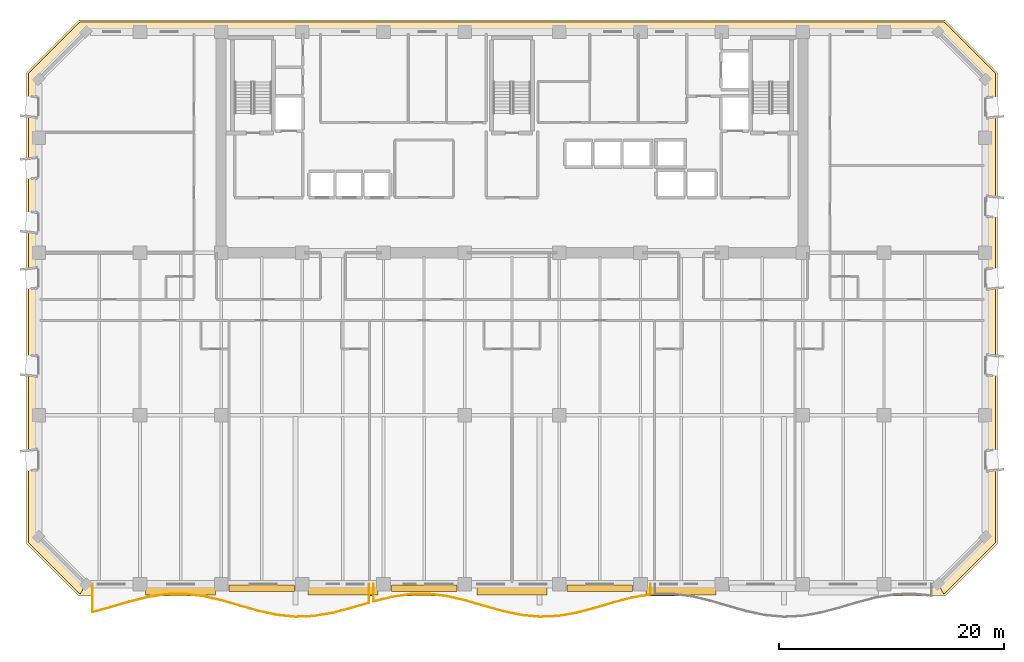
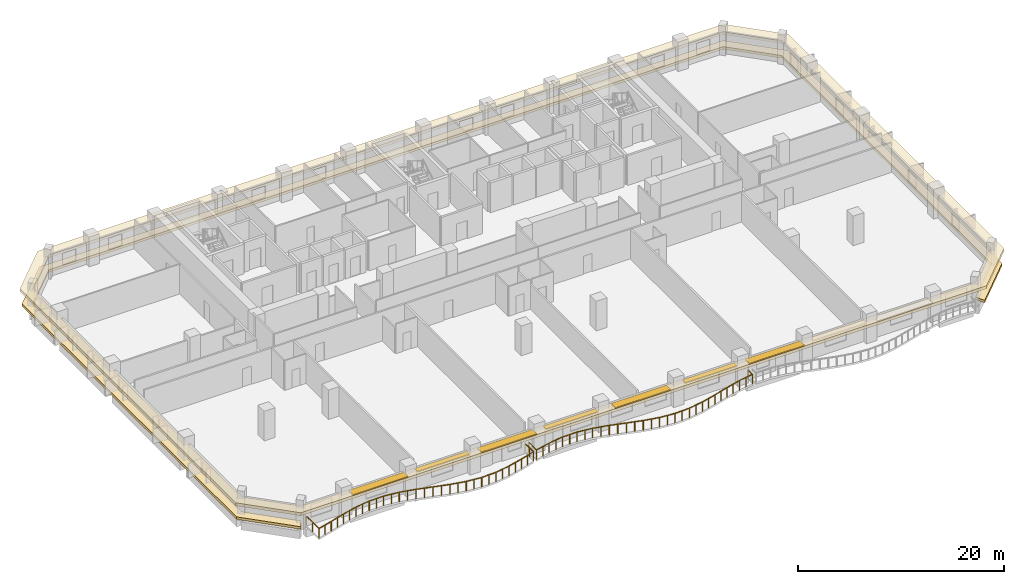
# One storey, part 12 of 15: 7 shading devices, 2 coverings, 2 railings.
"""IFC4 building model written with IfcOpenShell, lengths in metres."""

from ifc_helpers import new_model, si_unit, direction, frame, origin, origin_2d, place, context, subcontext, project, spatial, polyline, rectangle, outline, extrude, material, layer, layer_set, type_object, element, save


model = new_model("IFC4")

# Units and contexts
model_context = context("Model", 3, precision=1e-05, world=origin(), true_north=direction((0.0, 1.0)))
body_context = subcontext(model_context, "Body", "Model", "MODEL_VIEW")
ifc_project = project(units=[si_unit("LENGTHUNIT", "METRE"), si_unit("AREAUNIT", "SQUARE_METRE"), si_unit("VOLUMEUNIT", "CUBIC_METRE"), si_unit("PLANEANGLEUNIT", "RADIAN"), si_unit("MASSUNIT", "GRAM", prefix="KILO")], contexts=[model_context])

# Site, building, storey
site_placement = place(None, origin())
site = spatial("IfcSite", under=ifc_project, at=site_placement, CompositionType="ELEMENT")
building_placement = place(site_placement, origin())
building = spatial("IfcBuilding", under=site, at=building_placement, Name="Kaelvorn Grand Hotel", CompositionType="ELEMENT")
storey_placement = place(building_placement, frame((0.0, 0.0, 111.800048828125)))
storey = spatial("IfcBuildingStorey", under=building, at=storey_placement, Name="L26", CompositionType="ELEMENT", Elevation=111.800048828125)

# Coverings
ifc_material_1 = material(Name="Precast concrete C45/55", Category="concrete")
ifc_layer_1 = layer(ifc_material_1, 0.260009765625)
ifc_layer_set_1 = layer_set([ifc_layer_1], Name="Precast concrete C45/55")
covering_type_1 = type_object("IfcCoveringType", Name="COV-BAND-STREAMLINE-HEAD", PredefinedType="CLADDING", material=ifc_layer_set_1)
covering_1_placement = place(storey_placement, frame((0.0, 0.0, 2.179931640625)))
element("IfcCovering", 1, at=covering_1_placement, inside=storey, type_object=covering_type_1, Name="L26 Streamline Moderne Wraparound Horizontal Eyebrow Band", PredefinedType="CLADDING", context=body_context, shape_type="SweptSolid", body=[
    extrude(outline(polyline([(3.590087890625, -1.050048828125), (80.409912109375, -1.050048828125), (85.050048828125, 3.590087890625), (85.050048828125, 45.409912109375), (80.409912109375, 50.050048828125), (3.590087890625, 50.050048828125), (-1.050048828125, 45.409912109375), (-1.050048828125, 3.590087890625), (3.590087890625, -1.050048828125)]), holes=[polyline([(4.219970703125, 0.030029296875), (79.780029296875, 0.030029296875), (83.969970703125, 4.219970703125), (83.969970703125, 44.780029296875), (79.780029296875, 48.969970703125), (4.219970703125, 48.969970703125), (0.030029296875, 44.780029296875), (0.030029296875, 4.219970703125), (4.219970703125, 0.030029296875)])]), origin(), (0.0, 0.0, 1.0), 0.360107421875),
])
ifc_layer_2 = layer(ifc_material_1, 0.219970703125)
ifc_layer_set_2 = layer_set([ifc_layer_2], Name="Precast concrete C45/55")
covering_type_2 = type_object("IfcCoveringType", Name="COV-BAND-STREAMLINE-SILL", PredefinedType="CLADDING", material=ifc_layer_set_2)
covering_2_placement = place(storey_placement, frame((0.0, 0.0, 0.449951171875)))
element("IfcCovering", 2, at=covering_2_placement, inside=storey, type_object=covering_type_2, Name="L26 Streamline Moderne Wraparound Horizontal Sill Spandrel Band", PredefinedType="CLADDING", context=body_context, shape_type="SweptSolid", body=[
    extrude(outline(polyline([(80.3154296875, -0.8798828125), (84.8798828125, 3.6845703125), (84.8798828125, 45.3154296875), (80.3154296875, 49.8798828125), (3.6845703125, 49.8798828125), (-0.8798828125, 45.3154296875), (-0.8798828125, 3.6845703125), (3.6845703125, -0.8798828125), (4.217529296875, 0.030029296875), (0.030029296875, 4.217529296875), (0.030029296875, 44.782470703125), (4.217529296875, 48.969970703125), (79.782470703125, 48.969970703125), (83.969970703125, 44.782470703125), (83.969970703125, 4.217529296875), (79.782470703125, 0.030029296875), (80.3154296875, -0.8798828125)])), origin(), (0.0, 0.0, 1.0), 0.300048828125),
])

# Railings
ifc_material_2 = material(Name="Stainless Steel", Category="steel")
railing_type = type_object("IfcRailingType", Name="RL-BALC-1150", PredefinedType="BALUSTRADE", material=ifc_material_2)
railing_1_placement = place(storey_placement, frame((4.800048828125, 0.0, 0.0)))
element("IfcRailing", 3, at=railing_1_placement, inside=storey, type_object=railing_type, Name="L26 Scalloped Wave Balcony Balustrade GR1-1", PredefinedType="BALUSTRADE", context=body_context, shape_type="SweptSolid", body=[
    extrude(rectangle(XDim=0.048095703125, YDim=0.048095703125, at=origin_2d()), frame((0.0, 0.0, 1.1259765625), z_axis=(0.0, -1.0, 0.0), x_axis=(1.0, 0.0, 0.0)), (0.0, 0.0, 1.0), 2.4775390625),
    extrude(rectangle(XDim=0.048095703125, YDim=0.048095703125, at=origin_2d()), frame((0.0, -2.4775390625, 1.1259765625), z_axis=(0.964654076127, 0.263519474446, 0.0), x_axis=(-0.263519474446, 0.964654076127, 0.0)), (0.0, 0.0, 1.0), 1.6953125),
    extrude(rectangle(XDim=0.048095703125, YDim=0.048095703125, at=origin_2d()), frame((1.635498046875, -2.03076171875, 1.1259765625), z_axis=(0.959338132824, 0.282259361068, 0.0), x_axis=(-0.282259361068, 0.959338132824, 0.0)), (0.0, 0.0, 1.0), 1.704833984375),
    extrude(rectangle(XDim=0.048095703125, YDim=0.048095703125, at=origin_2d()), frame((3.27099609375, -1.549560546875, 1.1259765625), z_axis=(0.970108421797, 0.242671897751, 0.0), x_axis=(-0.242671897751, 0.970108421797, 0.0)), (0.0, 0.0, 1.0), 1.68603515625),
    extrude(rectangle(XDim=0.048095703125, YDim=0.048095703125, at=origin_2d()), frame((4.90673828125, -1.140380859375, 1.1259765625), z_axis=(0.988889745087, 0.148650839424, 0.0), x_axis=(-0.148650839424, 0.988889745087, 0.0)), (0.0, 0.0, 1.0), 1.65380859375),
    extrude(rectangle(XDim=0.048095703125, YDim=0.048095703125, at=origin_2d()), frame((6.542236328125, -0.89453125, 1.1259765625), z_axis=(0.999852684056, 0.01716421237, 0.0), x_axis=(-0.01716421237, 0.999852684056, 0.0)), (0.0, 0.0, 1.0), 1.6357421875),
    extrude(rectangle(XDim=0.048095703125, YDim=0.048095703125, at=origin_2d()), frame((8.177734375, -0.866455078125, 1.1259765625), z_axis=(0.992892259483, -0.119016641941, 0.0), x_axis=(0.119016641941, 0.992892259483, 0.0)), (0.0, 0.0, 1.0), 1.647216796875),
    extrude(rectangle(XDim=0.048095703125, YDim=0.048095703125, at=origin_2d()), frame((9.813232421875, -1.0625, 1.1259765625), z_axis=(0.974547877033, -0.22417947134, 0.0), x_axis=(0.22417947134, 0.974547877033, 0.0)), (0.0, 0.0, 1.0), 1.67822265625),
    extrude(rectangle(XDim=0.048095703125, YDim=0.048095703125, at=origin_2d()), frame((11.44873046875, -1.438720703125, 1.1259765625), z_axis=(0.960582401259, -0.277995414335, 0.0), x_axis=(0.277995414335, 0.960582401259, 0.0)), (0.0, 0.0, 1.0), 1.702880859375),
    extrude(rectangle(XDim=0.048095703125, YDim=0.048095703125, at=origin_2d()), frame((13.08447265625, -1.912109375, 1.1259765625), z_axis=(0.96186455439, -0.273526194374, 0.0), x_axis=(0.273526194374, 0.96186455439, 0.0)), (0.0, 0.0, 1.0), 1.700439453125),
    extrude(rectangle(XDim=0.048095703125, YDim=0.048095703125, at=origin_2d()), frame((14.719970703125, -2.377197265625, 1.1259765625), z_axis=(0.977427196396, -0.211272515358, 0.0), x_axis=(0.211272515358, 0.977427196396, 0.0)), (0.0, 0.0, 1.0), 1.67333984375),
    extrude(rectangle(XDim=0.048095703125, YDim=0.048095703125, at=origin_2d()), frame((16.35546875, -2.730712890625, 1.1259765625), z_axis=(0.995050417391, -0.099371358297, 0.0), x_axis=(0.099371358297, 0.995050417391, 0.0)), (0.0, 0.0, 1.0), 1.6435546875),
    extrude(rectangle(XDim=0.048095703125, YDim=0.048095703125, at=origin_2d()), frame((17.990966796875, -2.89404296875, 1.1259765625), z_axis=(0.999265134738, 0.03833002084, 0.0), x_axis=(-0.03833002084, 0.999265134738, 0.0)), (0.0, 0.0, 1.0), 1.636962890625),
    extrude(rectangle(XDim=0.048095703125, YDim=0.048095703125, at=origin_2d()), frame((19.626708984375, -2.831298828125, 1.1259765625), z_axis=(0.986118033534, 0.166045848907, 0.0), x_axis=(-0.166045848907, 0.986118033534, 0.0)), (0.0, 0.0, 1.0), 1.658447265625),
    extrude(rectangle(XDim=0.048095703125, YDim=0.048095703125, at=origin_2d()), frame((21.26220703125, -2.555908203125, 1.1259765625), z_axis=(0.96763721046, 0.252345455542, 0.0), x_axis=(-0.252345455542, 0.96763721046, 0.0)), (0.0, 0.0, 1.0), 1.690185546875),
    extrude(rectangle(XDim=0.048095703125, YDim=0.048095703125, at=origin_2d()), frame((22.897705078125, -2.12939453125, 1.1259765625), z_axis=(0.959027432838, 0.2833132243, 0.0), x_axis=(-0.2833132243, 0.959027432838, 0.0)), (0.0, 0.0, 1.0), 1.705322265625),
    extrude(rectangle(XDim=0.048095703125, YDim=0.048095703125, at=origin_2d()), frame((24.533203125, -1.646240234375, 1.1259765625), z_axis=(0.0, 1.0, 0.0), x_axis=(-1.0, 0.0, 0.0)), (0.0, 0.0, 1.0), 1.646240234375),
    extrude(rectangle(XDim=0.0419921875, YDim=0.0419921875, at=origin_2d()), origin(), (0.0, 0.0, 1.0), 1.101806640625),
    extrude(rectangle(XDim=0.0419921875, YDim=0.0419921875, at=origin_2d()), frame((0.0, -1.23876953125, 0.0)), (0.0, 0.0, 1.0), 1.101806640625),
    extrude(rectangle(XDim=0.0419921875, YDim=0.0419921875, at=origin_2d()), frame((0.0, -2.4775390625, 0.0)), (0.0, 0.0, 1.0), 1.101806640625),
    extrude(rectangle(XDim=0.0419921875, YDim=0.0419921875, at=origin_2d()), frame((0.81787109375, -2.254150390625, 0.0)), (0.0, 0.0, 1.0), 1.101806640625),
    extrude(rectangle(XDim=0.0419921875, YDim=0.0419921875, at=origin_2d()), frame((1.635498046875, -2.03076171875, 0.0)), (0.0, 0.0, 1.0), 1.101806640625),
    extrude(rectangle(XDim=0.0419921875, YDim=0.0419921875, at=origin_2d()), frame((2.453125, -1.7900390625, 0.0)), (0.0, 0.0, 1.0), 1.101806640625),
    extrude(rectangle(XDim=0.0419921875, YDim=0.0419921875, at=origin_2d()), frame((3.27099609375, -1.549560546875, 0.0)), (0.0, 0.0, 1.0), 1.101806640625),
    extrude(rectangle(XDim=0.0419921875, YDim=0.0419921875, at=origin_2d()), frame((4.0888671875, -1.344970703125, 0.0)), (0.0, 0.0, 1.0), 1.101806640625),
    extrude(rectangle(XDim=0.0419921875, YDim=0.0419921875, at=origin_2d()), frame((4.90673828125, -1.140380859375, 0.0)), (0.0, 0.0, 1.0), 1.101806640625),
    extrude(rectangle(XDim=0.0419921875, YDim=0.0419921875, at=origin_2d()), frame((5.724609375, -1.017578125, 0.0)), (0.0, 0.0, 1.0), 1.101806640625),
    extrude(rectangle(XDim=0.0419921875, YDim=0.0419921875, at=origin_2d()), frame((6.542236328125, -0.89453125, 0.0)), (0.0, 0.0, 1.0), 1.101806640625),
    extrude(rectangle(XDim=0.0419921875, YDim=0.0419921875, at=origin_2d()), frame((7.35986328125, -0.88037109375, 0.0)), (0.0, 0.0, 1.0), 1.101806640625),
    extrude(rectangle(XDim=0.0419921875, YDim=0.0419921875, at=origin_2d()), frame((8.177734375, -0.866455078125, 0.0)), (0.0, 0.0, 1.0), 1.101806640625),
    extrude(rectangle(XDim=0.0419921875, YDim=0.0419921875, at=origin_2d()), frame((8.99560546875, -0.96435546875, 0.0)), (0.0, 0.0, 1.0), 1.101806640625),
    extrude(rectangle(XDim=0.0419921875, YDim=0.0419921875, at=origin_2d()), frame((9.813232421875, -1.0625, 0.0)), (0.0, 0.0, 1.0), 1.101806640625),
    extrude(rectangle(XDim=0.0419921875, YDim=0.0419921875, at=origin_2d()), frame((10.630859375, -1.25048828125, 0.0)), (0.0, 0.0, 1.0), 1.101806640625),
    extrude(rectangle(XDim=0.0419921875, YDim=0.0419921875, at=origin_2d()), frame((11.44873046875, -1.438720703125, 0.0)), (0.0, 0.0, 1.0), 1.101806640625),
    extrude(rectangle(XDim=0.0419921875, YDim=0.0419921875, at=origin_2d()), frame((12.2666015625, -1.67529296875, 0.0)), (0.0, 0.0, 1.0), 1.101806640625),
    extrude(rectangle(XDim=0.0419921875, YDim=0.0419921875, at=origin_2d()), frame((13.08447265625, -1.912109375, 0.0)), (0.0, 0.0, 1.0), 1.101806640625),
    extrude(rectangle(XDim=0.0419921875, YDim=0.0419921875, at=origin_2d()), frame((13.90234375, -2.14453125, 0.0)), (0.0, 0.0, 1.0), 1.101806640625),
    extrude(rectangle(XDim=0.0419921875, YDim=0.0419921875, at=origin_2d()), frame((14.719970703125, -2.377197265625, 0.0)), (0.0, 0.0, 1.0), 1.101806640625),
    extrude(rectangle(XDim=0.0419921875, YDim=0.0419921875, at=origin_2d()), frame((15.53759765625, -2.553955078125, 0.0)), (0.0, 0.0, 1.0), 1.101806640625),
    extrude(rectangle(XDim=0.0419921875, YDim=0.0419921875, at=origin_2d()), frame((16.35546875, -2.730712890625, 0.0)), (0.0, 0.0, 1.0), 1.101806640625),
    extrude(rectangle(XDim=0.0419921875, YDim=0.0419921875, at=origin_2d()), frame((17.17333984375, -2.8125, 0.0)), (0.0, 0.0, 1.0), 1.101806640625),
    extrude(rectangle(XDim=0.0419921875, YDim=0.0419921875, at=origin_2d()), frame((17.990966796875, -2.89404296875, 0.0)), (0.0, 0.0, 1.0), 1.101806640625),
    extrude(rectangle(XDim=0.0419921875, YDim=0.0419921875, at=origin_2d()), frame((18.808837890625, -2.86279296875, 0.0)), (0.0, 0.0, 1.0), 1.101806640625),
    extrude(rectangle(XDim=0.0419921875, YDim=0.0419921875, at=origin_2d()), frame((19.626708984375, -2.831298828125, 0.0)), (0.0, 0.0, 1.0), 1.101806640625),
    extrude(rectangle(XDim=0.0419921875, YDim=0.0419921875, at=origin_2d()), frame((20.4443359375, -2.693603515625, 0.0)), (0.0, 0.0, 1.0), 1.101806640625),
    extrude(rectangle(XDim=0.0419921875, YDim=0.0419921875, at=origin_2d()), frame((21.26220703125, -2.555908203125, 0.0)), (0.0, 0.0, 1.0), 1.101806640625),
    extrude(rectangle(XDim=0.0419921875, YDim=0.0419921875, at=origin_2d()), frame((22.080078125, -2.3427734375, 0.0)), (0.0, 0.0, 1.0), 1.101806640625),
    extrude(rectangle(XDim=0.0419921875, YDim=0.0419921875, at=origin_2d()), frame((22.897705078125, -2.12939453125, 0.0)), (0.0, 0.0, 1.0), 1.101806640625),
    extrude(rectangle(XDim=0.0419921875, YDim=0.0419921875, at=origin_2d()), frame((23.71533203125, -1.8876953125, 0.0)), (0.0, 0.0, 1.0), 1.101806640625),
    extrude(rectangle(XDim=0.0419921875, YDim=0.0419921875, at=origin_2d()), frame((24.533203125, -1.646240234375, 0.0)), (0.0, 0.0, 1.0), 1.101806640625),
    extrude(rectangle(XDim=0.0419921875, YDim=0.0419921875, at=origin_2d()), frame((24.533203125, -0.8232421875, 0.0)), (0.0, 0.0, 1.0), 1.101806640625),
    extrude(rectangle(XDim=0.0419921875, YDim=0.0419921875, at=origin_2d()), frame((24.533203125, 0.0, 0.0)), (0.0, 0.0, 1.0), 1.101806640625),
])
railing_2_placement = place(storey_placement, frame((29.7333984375, 0.0, 0.0)))
element("IfcRailing", 4, at=railing_2_placement, inside=storey, type_object=railing_type, Name="L26 Scalloped Wave Balcony Balustrade GR1-2", PredefinedType="BALUSTRADE", context=body_context, shape_type="SweptSolid", body=[
    extrude(rectangle(XDim=0.048095703125, YDim=0.048095703125, at=origin_2d()), frame((0.0, 0.0, 1.1259765625), z_axis=(0.0, -1.0, 0.0), x_axis=(1.0, 0.0, 0.0)), (0.0, 0.0, 1.0), 1.531982421875),
    extrude(rectangle(XDim=0.048095703125, YDim=0.048095703125, at=origin_2d()), frame((0.0, -1.531982421875, 1.1259765625), z_axis=(0.970778455787, 0.239977477651, 0.0), x_axis=(-0.239977477651, 0.970778455787, 0.0)), (0.0, 0.0, 1.0), 1.684814453125),
    extrude(rectangle(XDim=0.048095703125, YDim=0.048095703125, at=origin_2d()), frame((1.635498046875, -1.127685546875, 1.1259765625), z_axis=(0.989552746823, 0.144171291372, 0.0), x_axis=(-0.144171291372, 0.989552746823, 0.0)), (0.0, 0.0, 1.0), 1.65283203125),
    extrude(rectangle(XDim=0.048095703125, YDim=0.048095703125, at=origin_2d()), frame((3.27099609375, -0.889404296875, 1.1259765625), z_axis=(0.999928700978, 0.011941229449, 0.0), x_axis=(-0.011941229449, 0.999928700978, 0.0)), (0.0, 0.0, 1.0), 1.635498046875),
    extrude(rectangle(XDim=0.048095703125, YDim=0.048095703125, at=origin_2d()), frame((4.906494140625, -0.869873046875, 1.1259765625), z_axis=(0.992305195112, -0.12381599151, 0.0), x_axis=(0.12381599151, 0.992305195112, 0.0)), (0.0, 0.0, 1.0), 1.6484375),
    extrude(rectangle(XDim=0.048095703125, YDim=0.048095703125, at=origin_2d()), frame((6.542236328125, -1.073974609375, 1.1259765625), z_axis=(0.973844426508, -0.227215829024, 0.0), x_axis=(0.227215829024, 0.973844426508, 0.0)), (0.0, 0.0, 1.0), 1.679443359375),
    extrude(rectangle(XDim=0.048095703125, YDim=0.048095703125, at=origin_2d()), frame((8.177734375, -1.45556640625, 1.1259765625), z_axis=(0.960302879925, -0.278959457282, 0.0), x_axis=(0.278959457282, 0.960302879925, 0.0)), (0.0, 0.0, 1.0), 1.703125),
    extrude(rectangle(XDim=0.048095703125, YDim=0.048095703125, at=origin_2d()), frame((9.813232421875, -1.9306640625, 1.1259765625), z_axis=(0.962241545122, -0.272197003733, 0.0), x_axis=(0.272197003733, 0.962241545122, 0.0)), (0.0, 0.0, 1.0), 1.69970703125),
    extrude(rectangle(XDim=0.048095703125, YDim=0.048095703125, at=origin_2d()), frame((11.44873046875, -2.393310546875, 1.1259765625), z_axis=(0.978181108295, -0.207753987627, 0.0), x_axis=(0.207753987627, 0.978181108295, 0.0)), (0.0, 0.0, 1.0), 1.672119140625),
    extrude(rectangle(XDim=0.048095703125, YDim=0.048095703125, at=origin_2d()), frame((13.08447265625, -2.74072265625, 1.1259765625), z_axis=(0.995523480824, -0.09451454453, 0.0), x_axis=(0.09451454453, 0.995523480824, 0.0)), (0.0, 0.0, 1.0), 1.642822265625),
    extrude(rectangle(XDim=0.048095703125, YDim=0.048095703125, at=origin_2d()), frame((14.719970703125, -2.89599609375, 1.1259765625), z_axis=(0.999044869462, 0.043696095948, 0.0), x_axis=(-0.043696095948, 0.999044869462, 0.0)), (0.0, 0.0, 1.0), 1.636962890625),
    extrude(rectangle(XDim=0.048095703125, YDim=0.048095703125, at=origin_2d()), frame((16.35546875, -2.824462890625, 1.1259765625), z_axis=(0.985410815118, 0.170192612792, 0.0), x_axis=(-0.170192612792, 0.985410815118, 0.0)), (0.0, 0.0, 1.0), 1.65966796875),
    extrude(rectangle(XDim=0.048095703125, YDim=0.048095703125, at=origin_2d()), frame((17.990966796875, -2.5419921875, 1.1259765625), z_axis=(0.967044616589, 0.254606970696, 0.0), x_axis=(-0.254606970696, 0.967044616589, 0.0)), (0.0, 0.0, 1.0), 1.69140625),
    extrude(rectangle(XDim=0.048095703125, YDim=0.048095703125, at=origin_2d()), frame((19.626708984375, -2.111328125, 1.1259765625), z_axis=(0.959066322629, 0.283181547419, 0.0), x_axis=(-0.283181547419, 0.959066322629, 0.0)), (0.0, 0.0, 1.0), 1.705322265625),
    extrude(rectangle(XDim=0.048095703125, YDim=0.048095703125, at=origin_2d()), frame((21.26220703125, -1.62841796875, 1.1259765625), z_axis=(0.967354524972, 0.253426957953, 0.0), x_axis=(-0.253426957953, 0.967354524972, 0.0)), (0.0, 0.0, 1.0), 1.690673828125),
    extrude(rectangle(XDim=0.048095703125, YDim=0.048095703125, at=origin_2d()), frame((22.897705078125, -1.199951171875, 1.1259765625), z_axis=(0.985827384416, 0.167762832995, 0.0), x_axis=(-0.167762832995, 0.985827384416, 0.0)), (0.0, 0.0, 1.0), 1.658935546875),
    extrude(rectangle(XDim=0.048095703125, YDim=0.048095703125, at=origin_2d()), frame((24.533203125, -0.921630859375, 1.1259765625), z_axis=(0.0, 1.0, 0.0), x_axis=(-1.0, 0.0, 0.0)), (0.0, 0.0, 1.0), 0.921630859375),
    extrude(rectangle(XDim=0.0419921875, YDim=0.0419921875, at=origin_2d()), origin(), (0.0, 0.0, 1.0), 1.101806640625),
    extrude(rectangle(XDim=0.0419921875, YDim=0.0419921875, at=origin_2d()), frame((0.0, -1.531982421875, 0.0)), (0.0, 0.0, 1.0), 1.101806640625),
    extrude(rectangle(XDim=0.0419921875, YDim=0.0419921875, at=origin_2d()), frame((0.81787109375, -1.329833984375, 0.0)), (0.0, 0.0, 1.0), 1.101806640625),
    extrude(rectangle(XDim=0.0419921875, YDim=0.0419921875, at=origin_2d()), frame((1.635498046875, -1.127685546875, 0.0)), (0.0, 0.0, 1.0), 1.101806640625),
    extrude(rectangle(XDim=0.0419921875, YDim=0.0419921875, at=origin_2d()), frame((2.453125, -1.008544921875, 0.0)), (0.0, 0.0, 1.0), 1.101806640625),
    extrude(rectangle(XDim=0.0419921875, YDim=0.0419921875, at=origin_2d()), frame((3.27099609375, -0.889404296875, 0.0)), (0.0, 0.0, 1.0), 1.101806640625),
    extrude(rectangle(XDim=0.0419921875, YDim=0.0419921875, at=origin_2d()), frame((4.0888671875, -0.879638671875, 0.0)), (0.0, 0.0, 1.0), 1.101806640625),
    extrude(rectangle(XDim=0.0419921875, YDim=0.0419921875, at=origin_2d()), frame((4.906494140625, -0.869873046875, 0.0)), (0.0, 0.0, 1.0), 1.101806640625),
    extrude(rectangle(XDim=0.0419921875, YDim=0.0419921875, at=origin_2d()), frame((5.724365234375, -0.971923828125, 0.0)), (0.0, 0.0, 1.0), 1.101806640625),
    extrude(rectangle(XDim=0.0419921875, YDim=0.0419921875, at=origin_2d()), frame((6.542236328125, -1.073974609375, 0.0)), (0.0, 0.0, 1.0), 1.101806640625),
    extrude(rectangle(XDim=0.0419921875, YDim=0.0419921875, at=origin_2d()), frame((7.35986328125, -1.2646484375, 0.0)), (0.0, 0.0, 1.0), 1.101806640625),
    extrude(rectangle(XDim=0.0419921875, YDim=0.0419921875, at=origin_2d()), frame((8.177734375, -1.45556640625, 0.0)), (0.0, 0.0, 1.0), 1.101806640625),
    extrude(rectangle(XDim=0.0419921875, YDim=0.0419921875, at=origin_2d()), frame((8.99560546875, -1.693115234375, 0.0)), (0.0, 0.0, 1.0), 1.101806640625),
    extrude(rectangle(XDim=0.0419921875, YDim=0.0419921875, at=origin_2d()), frame((9.813232421875, -1.9306640625, 0.0)), (0.0, 0.0, 1.0), 1.101806640625),
    extrude(rectangle(XDim=0.0419921875, YDim=0.0419921875, at=origin_2d()), frame((10.630859375, -2.162109375, 0.0)), (0.0, 0.0, 1.0), 1.101806640625),
    extrude(rectangle(XDim=0.0419921875, YDim=0.0419921875, at=origin_2d()), frame((11.44873046875, -2.393310546875, 0.0)), (0.0, 0.0, 1.0), 1.101806640625),
    extrude(rectangle(XDim=0.0419921875, YDim=0.0419921875, at=origin_2d()), frame((12.2666015625, -2.56689453125, 0.0)), (0.0, 0.0, 1.0), 1.101806640625),
    extrude(rectangle(XDim=0.0419921875, YDim=0.0419921875, at=origin_2d()), frame((13.08447265625, -2.74072265625, 0.0)), (0.0, 0.0, 1.0), 1.101806640625),
    extrude(rectangle(XDim=0.0419921875, YDim=0.0419921875, at=origin_2d()), frame((13.90234375, -2.818359375, 0.0)), (0.0, 0.0, 1.0), 1.101806640625),
    extrude(rectangle(XDim=0.0419921875, YDim=0.0419921875, at=origin_2d()), frame((14.719970703125, -2.89599609375, 0.0)), (0.0, 0.0, 1.0), 1.101806640625),
    extrude(rectangle(XDim=0.0419921875, YDim=0.0419921875, at=origin_2d()), frame((15.53759765625, -2.8603515625, 0.0)), (0.0, 0.0, 1.0), 1.101806640625),
    extrude(rectangle(XDim=0.0419921875, YDim=0.0419921875, at=origin_2d()), frame((16.35546875, -2.824462890625, 0.0)), (0.0, 0.0, 1.0), 1.101806640625),
    extrude(rectangle(XDim=0.0419921875, YDim=0.0419921875, at=origin_2d()), frame((17.17333984375, -2.68310546875, 0.0)), (0.0, 0.0, 1.0), 1.101806640625),
    extrude(rectangle(XDim=0.0419921875, YDim=0.0419921875, at=origin_2d()), frame((17.990966796875, -2.5419921875, 0.0)), (0.0, 0.0, 1.0), 1.101806640625),
    extrude(rectangle(XDim=0.0419921875, YDim=0.0419921875, at=origin_2d()), frame((18.808837890625, -2.32666015625, 0.0)), (0.0, 0.0, 1.0), 1.101806640625),
    extrude(rectangle(XDim=0.0419921875, YDim=0.0419921875, at=origin_2d()), frame((19.626708984375, -2.111328125, 0.0)), (0.0, 0.0, 1.0), 1.101806640625),
    extrude(rectangle(XDim=0.0419921875, YDim=0.0419921875, at=origin_2d()), frame((20.4443359375, -1.869873046875, 0.0)), (0.0, 0.0, 1.0), 1.101806640625),
    extrude(rectangle(XDim=0.0419921875, YDim=0.0419921875, at=origin_2d()), frame((21.26220703125, -1.62841796875, 0.0)), (0.0, 0.0, 1.0), 1.101806640625),
    extrude(rectangle(XDim=0.0419921875, YDim=0.0419921875, at=origin_2d()), frame((22.080078125, -1.4140625, 0.0)), (0.0, 0.0, 1.0), 1.101806640625),
    extrude(rectangle(XDim=0.0419921875, YDim=0.0419921875, at=origin_2d()), frame((22.897705078125, -1.199951171875, 0.0)), (0.0, 0.0, 1.0), 1.101806640625),
    extrude(rectangle(XDim=0.0419921875, YDim=0.0419921875, at=origin_2d()), frame((23.71533203125, -1.060791015625, 0.0)), (0.0, 0.0, 1.0), 1.101806640625),
    extrude(rectangle(XDim=0.0419921875, YDim=0.0419921875, at=origin_2d()), frame((24.533203125, -0.921630859375, 0.0)), (0.0, 0.0, 1.0), 1.101806640625),
    extrude(rectangle(XDim=0.0419921875, YDim=0.0419921875, at=origin_2d()), frame((24.533203125, 0.0, 0.0)), (0.0, 0.0, 1.0), 1.101806640625),
])

# Shading devices
ifc_layer_3 = layer(ifc_material_1, 0.1201171875)
ifc_layer_set_3 = layer_set([ifc_layer_3], Name="Precast concrete C45/55")
shading_device_type_1 = type_object("IfcShadingDeviceType", Name="SHD-SUNSHADE-550", PredefinedType="USERDEFINED", material=ifc_layer_set_3)
for number, where, z_axis, x_axis, name in (
    (5, (19.800048828125, -0.364990234375, 2.419921875), (0.0, 0.0, 1.0), (1.0, 0.0, 0.0), "L26 Horizontal Concrete Sunshade Band SS-03"),
    (6, (34.199951171875, -0.364990234375, 2.419921875), (0.0, 0.0, 1.0), (1.0, 0.0, 0.0), "L26 Horizontal Concrete Sunshade Band SS-05"),
    (7, (49.800048828125, -0.364990234375, 2.419921875), (0.0, 0.0, 1.0), (1.0, 0.0, 0.0), "L26 Horizontal Concrete Sunshade Band SS-07"),
):
    element("IfcShadingDevice", number, at=place(storey_placement, frame(where, z_axis=z_axis, x_axis=x_axis)), inside=storey, type_object=shading_device_type_1, Name=name, ObjectType="SUNSHADE", PredefinedType="USERDEFINED", context=body_context, shape_type="SweptSolid", body=[
        extrude(rectangle(XDim=5.800048828125, YDim=0.550048828125, at=origin_2d()), origin(), (0.0, 0.0, 1.0), 0.1201171875),
    ])
ifc_layer_4 = layer(ifc_material_1, 0.139892578125)
ifc_layer_set_4 = layer_set([ifc_layer_4], Name="Precast concrete C45/55")
shading_device_type_2 = type_object("IfcShadingDeviceType", Name="SHD-SUNSHADE-850", PredefinedType="USERDEFINED", material=ifc_layer_set_4)
for number, where, z_axis, x_axis, name in (
    (8, (12.60009765625, -0.514892578125, 2.41015625), (0.0, 0.0, 1.0), (1.0, 0.0, 0.0), "L26 Horizontal Concrete Sunshade Band SS-02"),
    (9, (27.0, -0.514892578125, 2.41015625), (0.0, 0.0, 1.0), (1.0, 0.0, 0.0), "L26 Horizontal Concrete Sunshade Band SS-04"),
    (10, (42.0, -0.514892578125, 2.41015625), (0.0, 0.0, 1.0), (1.0, 0.0, 0.0), "L26 Horizontal Concrete Sunshade Band SS-06"),
    (11, (57.0, -0.514892578125, 2.41015625), (0.0, 0.0, 1.0), (1.0, 0.0, 0.0), "L26 Horizontal Concrete Sunshade Band SS-08"),
):
    element("IfcShadingDevice", number, at=place(storey_placement, frame(where, z_axis=z_axis, x_axis=x_axis)), inside=storey, type_object=shading_device_type_2, Name=name, ObjectType="SUNSHADE", PredefinedType="USERDEFINED", context=body_context, shape_type="SweptSolid", body=[
        extrude(rectangle(XDim=6.199951171875, YDim=0.85009765625, at=origin_2d()), origin(), (0.0, 0.0, 1.0), 0.139892578125),
    ])

save(model, "model.ifc")
